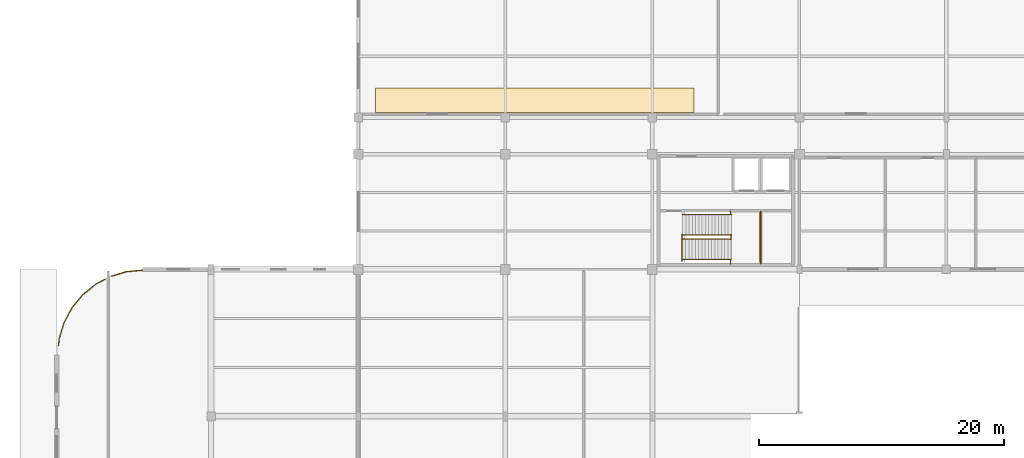
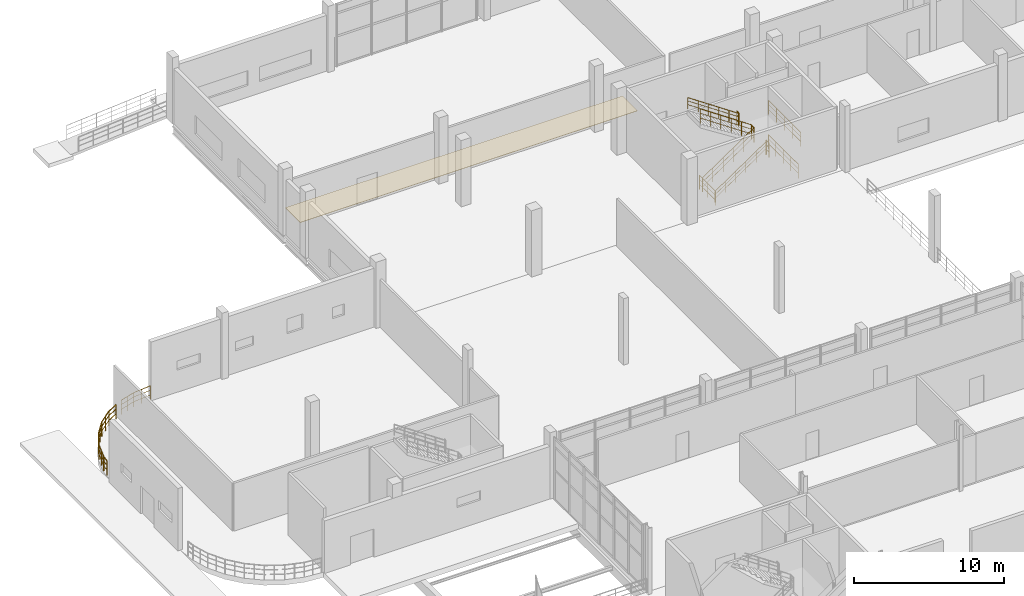
# One storey, part 76 of 85: 18 railings, 1 covering.
"""IFC4 building model written with IfcOpenShell, lengths in metres."""

from ifc_helpers import new_model, si_unit, direction, frame, origin, origin_2d, place, context, subcontext, project, spatial, rectangle, circle, extrude, material, layer, layer_set, type_object, element, save


model = new_model("IFC4")

# Units and contexts
model_context = context("Model", 3, precision=1e-05, world=origin(), true_north=direction((0.0, 1.0)))
body_context = subcontext(model_context, "Body", "Model", "MODEL_VIEW")
ifc_project = project(units=[si_unit("LENGTHUNIT", "METRE"), si_unit("AREAUNIT", "SQUARE_METRE"), si_unit("VOLUMEUNIT", "CUBIC_METRE"), si_unit("PLANEANGLEUNIT", "RADIAN"), si_unit("MASSUNIT", "GRAM", prefix="KILO"), si_unit("THERMODYNAMICTEMPERATUREUNIT", "KELVIN"), si_unit("POWERUNIT", "WATT")], contexts=[model_context])

# Site, building, storey
site_placement = place(None, origin())
site = spatial("IfcSite", under=ifc_project, at=site_placement, CompositionType="ELEMENT")
building_placement = place(site_placement, origin())
building = spatial("IfcBuilding", under=site, at=building_placement, Name="Solmara Park Aquatics Centre", CompositionType="ELEMENT")
storey_placement = place(building_placement, origin())
storey = spatial("IfcBuildingStorey", under=building, at=storey_placement, Name="L00", CompositionType="ELEMENT", Elevation=0.0)

# Covering
ifc_material_1 = material(Name="Anti-Slip Seafoam Ceramic Pool Deck Tile", Category="ceramic")
ifc_layer_1 = layer(ifc_material_1, 0.030029296875, Name="Anti-Slip Seafoam Ceramic Pool Deck Tile")
ifc_layer_set_1 = layer_set([ifc_layer_1], Name="Anti-Slip Seafoam Ceramic Pool Deck Tile")
covering_type = type_object("IfcCoveringType", Name="ARC-COV-TILE", PredefinedType="FLOORING", material=ifc_layer_set_1)
covering_placement = place(storey_placement, frame((39.0, 122.39990234375, 0.0), z_axis=(0.0, 0.0, 1.0), x_axis=(1.0, 0.0, 0.0)))
element("IfcCovering", 1, at=covering_placement, inside=storey, type_object=covering_type, Name="Seafoam Anti-Slip Pool Deck Tile 08", PredefinedType="FLOORING", context=body_context, shape_type="SweptSolid", body=[
    extrude(rectangle(XDim=26.0, YDim=2.0, at=origin_2d()), origin(), (0.0, 0.0, 1.0), 0.030029296875),
])

# Railings
ifc_material_2 = material(Name="Brushed Marine-Grade Stainless Steel 316L Handrail", Category="steel")
ifc_layer_2 = layer(ifc_material_2, 0.044921875, Name="Brushed Marine-Grade Stainless Steel 316L Handrail")
ifc_layer_set_2 = layer_set([ifc_layer_2], Name="Brushed Marine-Grade Stainless Steel 316L Handrail")
railing_type_1 = type_object("IfcRailingType", Name="ARC-RL-HND090", PredefinedType="HANDRAIL", material=ifc_layer_set_2)
railing_1_placement = place(storey_placement, frame((51.050048828125, 109.409912109375, 0.168701171875)))
element("IfcRailing", 2, at=railing_1_placement, inside=storey, type_object=railing_type_1, Name="ST-01 Protected Exit Stair (L00 to L01) Flight 1 Outer Handrail", PredefinedType="HANDRAIL", context=body_context, shape_type="SweptSolid", body=[
    extrude(circle(Radius=0.02392578125, at=origin_2d()), frame((0.0, 0.0, 0.89599609375), z_axis=(0.82718817395, 0.0, 0.56192501713), x_axis=(0.0, 1.0, 0.0)), (0.0, 0.0, 1.0), 4.80517578125),
    extrude(circle(Radius=0.01416015625, at=origin_2d()), frame((0.0, 0.0, 0.322021484375), z_axis=(0.82718817395, 0.0, 0.56192501713), x_axis=(0.0, 1.0, 0.0)), (0.0, 0.0, 1.0), 4.80517578125),
    extrude(circle(Radius=0.01416015625, at=origin_2d()), frame((0.0, 0.0, 0.62548828125), z_axis=(0.82718817395, 0.0, 0.56192501713), x_axis=(0.0, 1.0, 0.0)), (0.0, 0.0, 1.0), 4.80517578125),
    extrude(circle(Radius=0.02099609375, at=origin_2d()), origin(), (0.0, 0.0, 1.0), 0.871826171875),
    extrude(circle(Radius=0.02099609375, at=origin_2d()), frame((0.794921875, 0.0, 0.5400390625)), (0.0, 0.0, 1.0), 0.871826171875),
    extrude(circle(Radius=0.02099609375, at=origin_2d()), frame((1.58984375, 0.0, 1.080078125)), (0.0, 0.0, 1.0), 0.871826171875),
    extrude(circle(Radius=0.02099609375, at=origin_2d()), frame((2.385009765625, 0.0, 1.6201171875)), (0.0, 0.0, 1.0), 0.871826171875),
    extrude(circle(Radius=0.02099609375, at=origin_2d()), frame((3.179931640625, 0.0, 2.16015625)), (0.0, 0.0, 1.0), 0.871826171875),
    extrude(circle(Radius=0.02099609375, at=origin_2d()), frame((3.974853515625, 0.0, 2.7001953125)), (0.0, 0.0, 1.0), 0.871826171875),
])
railing_2_placement = place(storey_placement, frame((55.054931640625, 113.090087890625, 2.868896484375)))
element("IfcRailing", 3, at=railing_2_placement, inside=storey, type_object=railing_type_1, Name="ST-01 Protected Exit Stair (L00 to L01) Flight 2 Outer Handrail", PredefinedType="HANDRAIL", context=body_context, shape_type="SweptSolid", body=[
    extrude(circle(Radius=0.02392578125, at=origin_2d()), frame((0.0, 0.0, 0.89599609375), z_axis=(-0.827211789872, 0.0, 0.56189025147), x_axis=(0.0, -1.0, 0.0)), (0.0, 0.0, 1.0), 4.80517578125),
    extrude(circle(Radius=0.01416015625, at=origin_2d()), frame((0.0, 0.0, 0.322021484375), z_axis=(-0.827211789872, 0.0, 0.56189025147), x_axis=(0.0, -1.0, 0.0)), (0.0, 0.0, 1.0), 4.80517578125),
    extrude(circle(Radius=0.01416015625, at=origin_2d()), frame((0.0, 0.0, 0.62548828125), z_axis=(-0.827211789872, 0.0, 0.56189025147), x_axis=(0.0, -1.0, 0.0)), (0.0, 0.0, 1.0), 4.80517578125),
    extrude(circle(Radius=0.02099609375, at=origin_2d()), origin(), (0.0, 0.0, 1.0), 0.871826171875),
    extrude(circle(Radius=0.02099609375, at=origin_2d()), frame((-0.794921875, 0.0, 0.5400390625)), (0.0, 0.0, 1.0), 0.871826171875),
    extrude(circle(Radius=0.02099609375, at=origin_2d()), frame((-1.58984375, 0.0, 1.080078125)), (0.0, 0.0, 1.0), 0.871826171875),
    extrude(circle(Radius=0.02099609375, at=origin_2d()), frame((-2.385009765625, 0.0, 1.619873046875)), (0.0, 0.0, 1.0), 0.871826171875),
    extrude(circle(Radius=0.02099609375, at=origin_2d()), frame((-3.179931640625, 0.0, 2.159912109375)), (0.0, 0.0, 1.0), 0.871826171875),
    extrude(circle(Radius=0.02099609375, at=origin_2d()), frame((-3.974853515625, 0.0, 2.699951171875)), (0.0, 0.0, 1.0), 0.871826171875),
])
ifc_material_3 = material(Name="Toughened Glass and Stainless Steel Stand Guardrail", Category="steel")
ifc_layer_3 = layer(ifc_material_3, 0.06005859375, Name="Toughened Glass and Stainless Steel Stand Guardrail")
ifc_layer_set_3 = layer_set([ifc_layer_3], Name="Toughened Glass and Stainless Steel Stand Guardrail")
railing_type_2 = type_object("IfcRailingType", Name="ARC-RL-STD110", PredefinedType="GUARDRAIL", material=ifc_layer_set_3)
railing_3_placement = place(storey_placement, frame((0.139892578125, 102.4091796875, 0.0)))
element("IfcRailing", 4, at=railing_3_placement, inside=storey, type_object=railing_type_2, Name="L00 Slab Edge Guardrail 010", PredefinedType="GUARDRAIL", context=body_context, shape_type="SweptSolid", body=[
    extrude(circle(Radius=0.02392578125, at=origin_2d()), frame((0.0, 0.0, 1.15576171875), z_axis=(0.098134511483, 0.995173159634, 0.0), x_axis=(-0.995173159634, 0.098134511483, 0.0)), (0.0, 0.0, 1.0), 0.54736328125),
    extrude(circle(Radius=0.01416015625, at=origin_2d()), frame((0.0, 0.0, 0.4130859375), z_axis=(0.098134511483, 0.995173159634, 0.0), x_axis=(-0.995173159634, 0.098134511483, 0.0)), (0.0, 0.0, 1.0), 0.54736328125),
    extrude(circle(Radius=0.01416015625, at=origin_2d()), frame((0.0, 0.0, 0.80224609375), z_axis=(0.098134511483, 0.995173159634, 0.0), x_axis=(-0.995173159634, 0.098134511483, 0.0)), (0.0, 0.0, 1.0), 0.54736328125),
    extrude(circle(Radius=0.02099609375, at=origin_2d()), origin(), (0.0, 0.0, 1.0), 1.1318359375),
    extrude(circle(Radius=0.02099609375, at=origin_2d()), frame((0.0537109375, 0.544677734375, 0.0)), (0.0, 0.0, 1.0), 1.1318359375),
])
railing_4_placement = place(storey_placement, frame((0.193603515625, 102.953857421875, 0.0)))
element("IfcRailing", 5, at=railing_4_placement, inside=storey, type_object=railing_type_2, Name="L00 Slab Edge Guardrail 011", PredefinedType="GUARDRAIL", context=body_context, shape_type="SweptSolid", body=[
    extrude(circle(Radius=0.02392578125, at=origin_2d()), frame((0.0, 0.0, 1.15576171875), z_axis=(0.290211619235, 0.956962494595, 0.0), x_axis=(-0.956962494595, 0.290211619235, 0.0)), (0.0, 0.0, 1.0), 1.3603515625),
    extrude(circle(Radius=0.01416015625, at=origin_2d()), frame((0.0, 0.0, 0.4130859375), z_axis=(0.290211619235, 0.956962494595, 0.0), x_axis=(-0.956962494595, 0.290211619235, 0.0)), (0.0, 0.0, 1.0), 1.3603515625),
    extrude(circle(Radius=0.01416015625, at=origin_2d()), frame((0.0, 0.0, 0.80224609375), z_axis=(0.290211619235, 0.956962494595, 0.0), x_axis=(-0.956962494595, 0.290211619235, 0.0)), (0.0, 0.0, 1.0), 1.3603515625),
    extrude(circle(Radius=0.02099609375, at=origin_2d()), origin(), (0.0, 0.0, 1.0), 1.1318359375),
    extrude(circle(Radius=0.02099609375, at=origin_2d()), frame((0.197265625, 0.65087890625, 0.0)), (0.0, 0.0, 1.0), 1.1318359375),
    extrude(circle(Radius=0.02099609375, at=origin_2d()), frame((0.394775390625, 1.3017578125, 0.0)), (0.0, 0.0, 1.0), 1.1318359375),
])
railing_5_placement = place(storey_placement, frame((0.58837890625, 104.255615234375, 0.0)))
element("IfcRailing", 6, at=railing_5_placement, inside=storey, type_object=railing_type_2, Name="L00 Slab Edge Guardrail 012", PredefinedType="GUARDRAIL", context=body_context, shape_type="SweptSolid", body=[
    extrude(circle(Radius=0.02392578125, at=origin_2d()), frame((0.0, 0.0, 1.15576171875), z_axis=(0.471379677501, 0.881930382535, 0.0), x_axis=(-0.881930382535, 0.471379677501, 0.0)), (0.0, 0.0, 1.0), 1.360595703125),
    extrude(circle(Radius=0.01416015625, at=origin_2d()), frame((0.0, 0.0, 0.4130859375), z_axis=(0.471379677501, 0.881930382535, 0.0), x_axis=(-0.881930382535, 0.471379677501, 0.0)), (0.0, 0.0, 1.0), 1.360595703125),
    extrude(circle(Radius=0.01416015625, at=origin_2d()), frame((0.0, 0.0, 0.80224609375), z_axis=(0.471379677501, 0.881930382535, 0.0), x_axis=(-0.881930382535, 0.471379677501, 0.0)), (0.0, 0.0, 1.0), 1.360595703125),
    extrude(circle(Radius=0.02099609375, at=origin_2d()), origin(), (0.0, 0.0, 1.0), 1.1318359375),
    extrude(circle(Radius=0.02099609375, at=origin_2d()), frame((0.32080078125, 0.60009765625, 0.0)), (0.0, 0.0, 1.0), 1.1318359375),
    extrude(circle(Radius=0.02099609375, at=origin_2d()), frame((0.641357421875, 1.199951171875, 0.0)), (0.0, 0.0, 1.0), 1.1318359375),
])
railing_6_placement = place(storey_placement, frame((1.229736328125, 105.45556640625, 0.0)))
element("IfcRailing", 7, at=railing_6_placement, inside=storey, type_object=railing_type_2, Name="L00 Slab Edge Guardrail 013", PredefinedType="GUARDRAIL", context=body_context, shape_type="SweptSolid", body=[
    extrude(circle(Radius=0.02392578125, at=origin_2d()), frame((0.0, 0.0, 1.15576171875), z_axis=(0.634536580186, 0.772892831126, 0.0), x_axis=(-0.772892831126, 0.634536580186, 0.0)), (0.0, 0.0, 1.0), 1.360595703125),
    extrude(circle(Radius=0.01416015625, at=origin_2d()), frame((0.0, 0.0, 0.4130859375), z_axis=(0.634536580186, 0.772892831126, 0.0), x_axis=(-0.772892831126, 0.634536580186, 0.0)), (0.0, 0.0, 1.0), 1.360595703125),
    extrude(circle(Radius=0.01416015625, at=origin_2d()), frame((0.0, 0.0, 0.80224609375), z_axis=(0.634536580186, 0.772892831126, 0.0), x_axis=(-0.772892831126, 0.634536580186, 0.0)), (0.0, 0.0, 1.0), 1.360595703125),
    extrude(circle(Radius=0.02099609375, at=origin_2d()), origin(), (0.0, 0.0, 1.0), 1.1318359375),
    extrude(circle(Radius=0.02099609375, at=origin_2d()), frame((0.431640625, 0.52587890625, 0.0)), (0.0, 0.0, 1.0), 1.1318359375),
    extrude(circle(Radius=0.02099609375, at=origin_2d()), frame((0.86328125, 1.051513671875, 0.0)), (0.0, 0.0, 1.0), 1.1318359375),
])
railing_7_placement = place(storey_placement, frame((2.093017578125, 106.507080078125, 0.0)))
element("IfcRailing", 8, at=railing_7_placement, inside=storey, type_object=railing_type_2, Name="L00 Slab Edge Guardrail 014", PredefinedType="GUARDRAIL", context=body_context, shape_type="SweptSolid", body=[
    extrude(circle(Radius=0.02392578125, at=origin_2d()), frame((0.0, 0.0, 1.15576171875), z_axis=(0.772980841347, 0.634429364792, 0.0), x_axis=(-0.634429364792, 0.772980841347, 0.0)), (0.0, 0.0, 1.0), 1.3603515625),
    extrude(circle(Radius=0.01416015625, at=origin_2d()), frame((0.0, 0.0, 0.4130859375), z_axis=(0.772980841347, 0.634429364792, 0.0), x_axis=(-0.634429364792, 0.772980841347, 0.0)), (0.0, 0.0, 1.0), 1.3603515625),
    extrude(circle(Radius=0.01416015625, at=origin_2d()), frame((0.0, 0.0, 0.80224609375), z_axis=(0.772980841347, 0.634429364792, 0.0), x_axis=(-0.634429364792, 0.772980841347, 0.0)), (0.0, 0.0, 1.0), 1.3603515625),
    extrude(circle(Radius=0.02099609375, at=origin_2d()), origin(), (0.0, 0.0, 1.0), 1.1318359375),
    extrude(circle(Radius=0.02099609375, at=origin_2d()), frame((0.52587890625, 0.431640625, 0.0)), (0.0, 0.0, 1.0), 1.1318359375),
    extrude(circle(Radius=0.02099609375, at=origin_2d()), frame((1.051513671875, 0.863037109375, 0.0)), (0.0, 0.0, 1.0), 1.1318359375),
])
railing_8_placement = place(storey_placement, frame((3.14453125, 107.3701171875, 0.0)))
element("IfcRailing", 9, at=railing_8_placement, inside=storey, type_object=railing_type_2, Name="L00 Slab Edge Guardrail 015", PredefinedType="GUARDRAIL", context=body_context, shape_type="SweptSolid", body=[
    extrude(circle(Radius=0.02392578125, at=origin_2d()), frame((0.0, 0.0, 1.15576171875), z_axis=(0.881875936158, 0.4714815301, 0.0), x_axis=(-0.4714815301, 0.881875936158, 0.0)), (0.0, 0.0, 1.0), 0.879150390625),
    extrude(circle(Radius=0.01416015625, at=origin_2d()), frame((0.0, 0.0, 0.4130859375), z_axis=(0.881875936158, 0.4714815301, 0.0), x_axis=(-0.4714815301, 0.881875936158, 0.0)), (0.0, 0.0, 1.0), 0.879150390625),
    extrude(circle(Radius=0.01416015625, at=origin_2d()), frame((0.0, 0.0, 0.80224609375), z_axis=(0.881875936158, 0.4714815301, 0.0), x_axis=(-0.4714815301, 0.881875936158, 0.0)), (0.0, 0.0, 1.0), 0.879150390625),
    extrude(circle(Radius=0.02099609375, at=origin_2d()), origin(), (0.0, 0.0, 1.0), 1.1318359375),
    extrude(circle(Radius=0.02099609375, at=origin_2d()), frame((0.775390625, 0.41455078125, 0.0)), (0.0, 0.0, 1.0), 1.1318359375),
])
railing_9_placement = place(storey_placement, frame((4.47998046875, 108.052734375, 0.0)))
element("IfcRailing", 10, at=railing_9_placement, inside=storey, type_object=railing_type_2, Name="L00 Slab Edge Guardrail 016", PredefinedType="GUARDRAIL", context=body_context, shape_type="SweptSolid", body=[
    extrude(circle(Radius=0.02392578125, at=origin_2d()), frame((0.0, 0.0, 1.15576171875), z_axis=(0.956945182864, 0.290268697921, 0.0), x_axis=(-0.290268697921, 0.956945182864, 0.0)), (0.0, 0.0, 1.0), 1.21875),
    extrude(circle(Radius=0.01416015625, at=origin_2d()), frame((0.0, 0.0, 0.4130859375), z_axis=(0.956945182864, 0.290268697921, 0.0), x_axis=(-0.290268697921, 0.956945182864, 0.0)), (0.0, 0.0, 1.0), 1.21875),
    extrude(circle(Radius=0.01416015625, at=origin_2d()), frame((0.0, 0.0, 0.80224609375), z_axis=(0.956945182864, 0.290268697921, 0.0), x_axis=(-0.290268697921, 0.956945182864, 0.0)), (0.0, 0.0, 1.0), 1.21875),
    extrude(circle(Radius=0.02099609375, at=origin_2d()), origin(), (0.0, 0.0, 1.0), 1.1318359375),
    extrude(circle(Radius=0.02099609375, at=origin_2d()), frame((0.5830078125, 0.1767578125, 0.0)), (0.0, 0.0, 1.0), 1.1318359375),
    extrude(circle(Radius=0.02099609375, at=origin_2d()), frame((1.166259765625, 0.353759765625, 0.0)), (0.0, 0.0, 1.0), 1.1318359375),
])
railing_10_placement = place(storey_placement, frame((5.646240234375, 108.406494140625, 0.0)))
element("IfcRailing", 11, at=railing_10_placement, inside=storey, type_object=railing_type_2, Name="L00 Slab Edge Guardrail 017", PredefinedType="GUARDRAIL", context=body_context, shape_type="SweptSolid", body=[
    extrude(circle(Radius=0.02392578125, at=origin_2d()), frame((0.0, 0.0, 1.15576171875), z_axis=(0.995187086865, 0.097993173928, 0.0), x_axis=(-0.097993173928, 0.995187086865, 0.0)), (0.0, 0.0, 1.0), 1.3603515625),
    extrude(circle(Radius=0.01416015625, at=origin_2d()), frame((0.0, 0.0, 0.4130859375), z_axis=(0.995187086865, 0.097993173928, 0.0), x_axis=(-0.097993173928, 0.995187086865, 0.0)), (0.0, 0.0, 1.0), 1.3603515625),
    extrude(circle(Radius=0.01416015625, at=origin_2d()), frame((0.0, 0.0, 0.80224609375), z_axis=(0.995187086865, 0.097993173928, 0.0), x_axis=(-0.097993173928, 0.995187086865, 0.0)), (0.0, 0.0, 1.0), 1.3603515625),
    extrude(circle(Radius=0.02099609375, at=origin_2d()), origin(), (0.0, 0.0, 1.0), 1.1318359375),
    extrude(circle(Radius=0.02099609375, at=origin_2d()), frame((0.6767578125, 0.066650390625, 0.0)), (0.0, 0.0, 1.0), 1.1318359375),
    extrude(circle(Radius=0.02099609375, at=origin_2d()), frame((1.353759765625, 0.13330078125, 0.0)), (0.0, 0.0, 1.0), 1.1318359375),
])
ifc_material_4 = material(Name="Brushed Stainless Steel Guardrail", Category="steel")
ifc_layer_4 = layer(ifc_material_4, 0.050048828125, Name="Brushed Stainless Steel Guardrail")
ifc_layer_set_4 = layer_set([ifc_layer_4], Name="Brushed Stainless Steel Guardrail")
railing_type_3 = type_object("IfcRailingType", Name="ARC-RL-STR110", PredefinedType="GUARDRAIL", material=ifc_layer_set_4)
railing_11_placement = place(storey_placement, frame((51.030029296875, 109.27001953125, 0.0)))
element("IfcRailing", 12, at=railing_11_placement, inside=storey, type_object=railing_type_3, Name="ST-01 Protected Exit Stair (B1 to L00) Arrival Well Guardrail", PredefinedType="GUARDRAIL", context=body_context, shape_type="SweptSolid", body=[
    extrude(circle(Radius=0.02392578125, at=origin_2d()), frame((0.0, 0.0, 1.15576171875), z_axis=(0.0, 1.0, 0.0), x_axis=(-1.0, 0.0, 0.0)), (0.0, 0.0, 1.0), 2.169921875),
    extrude(circle(Radius=0.01416015625, at=origin_2d()), frame((0.0, 0.0, 0.4130859375), z_axis=(0.0, 1.0, 0.0), x_axis=(-1.0, 0.0, 0.0)), (0.0, 0.0, 1.0), 2.169921875),
    extrude(circle(Radius=0.01416015625, at=origin_2d()), frame((0.0, 0.0, 0.80224609375), z_axis=(0.0, 1.0, 0.0), x_axis=(-1.0, 0.0, 0.0)), (0.0, 0.0, 1.0), 2.169921875),
    extrude(circle(Radius=0.02099609375, at=origin_2d()), origin(), (0.0, 0.0, 1.0), 1.1318359375),
    extrude(circle(Radius=0.02099609375, at=origin_2d()), frame((0.0, 1.0849609375, 0.0)), (0.0, 0.0, 1.0), 1.1318359375),
    extrude(circle(Radius=0.02099609375, at=origin_2d()), frame((0.0, 2.169921875, 0.0)), (0.0, 0.0, 1.0), 1.1318359375),
])
railing_12_placement = place(storey_placement, frame((57.3798828125, 109.27001953125, 0.0)))
element("IfcRailing", 13, at=railing_12_placement, inside=storey, type_object=railing_type_3, Name="ST-01 Protected Exit Stair (B1 to L00) Far Well Edge Guardrail", PredefinedType="GUARDRAIL", context=body_context, shape_type="SweptSolid", body=[
    extrude(circle(Radius=0.02392578125, at=origin_2d()), frame((0.0, 0.0, 1.15576171875), z_axis=(0.0, 1.0, 0.0), x_axis=(-1.0, 0.0, 0.0)), (0.0, 0.0, 1.0), 3.9599609375),
    extrude(circle(Radius=0.01416015625, at=origin_2d()), frame((0.0, 0.0, 0.4130859375), z_axis=(0.0, 1.0, 0.0), x_axis=(-1.0, 0.0, 0.0)), (0.0, 0.0, 1.0), 3.9599609375),
    extrude(circle(Radius=0.01416015625, at=origin_2d()), frame((0.0, 0.0, 0.80224609375), z_axis=(0.0, 1.0, 0.0), x_axis=(-1.0, 0.0, 0.0)), (0.0, 0.0, 1.0), 3.9599609375),
    extrude(circle(Radius=0.02099609375, at=origin_2d()), origin(), (0.0, 0.0, 1.0), 1.1318359375),
    extrude(circle(Radius=0.02099609375, at=origin_2d()), frame((0.0, 0.989990234375, 0.0)), (0.0, 0.0, 1.0), 1.1318359375),
    extrude(circle(Radius=0.02099609375, at=origin_2d()), frame((0.0, 1.97998046875, 0.0)), (0.0, 0.0, 1.0), 1.1318359375),
    extrude(circle(Radius=0.02099609375, at=origin_2d()), frame((0.0, 2.969970703125, 0.0)), (0.0, 0.0, 1.0), 1.1318359375),
    extrude(circle(Radius=0.02099609375, at=origin_2d()), frame((0.0, 3.9599609375, 0.0)), (0.0, 0.0, 1.0), 1.1318359375),
])
railing_13_placement = place(storey_placement, frame((51.050048828125, 111.080078125, 0.0)))
element("IfcRailing", 14, at=railing_13_placement, inside=storey, type_object=railing_type_3, Name="ST-01 Protected Exit Stair (L00 to L01) Flight 1 Inner Guardrail", PredefinedType="GUARDRAIL", context=body_context, shape_type="SweptSolid", body=[
    extrude(circle(Radius=0.02392578125, at=origin_2d()), frame((0.0, 0.0, 1.15576171875), z_axis=(0.827211789872, 0.0, 0.56189025147), x_axis=(0.0, 1.0, 0.0)), (0.0, 0.0, 1.0), 4.80517578125),
    extrude(circle(Radius=0.01416015625, at=origin_2d()), frame((0.0, 0.0, 0.4130859375), z_axis=(0.827211789872, 0.0, 0.56189025147), x_axis=(0.0, 1.0, 0.0)), (0.0, 0.0, 1.0), 4.80517578125),
    extrude(circle(Radius=0.01416015625, at=origin_2d()), frame((0.0, 0.0, 0.80224609375), z_axis=(0.827211789872, 0.0, 0.56189025147), x_axis=(0.0, 1.0, 0.0)), (0.0, 0.0, 1.0), 4.80517578125),
    extrude(circle(Radius=0.02099609375, at=origin_2d()), origin(), (0.0, 0.0, 1.0), 1.1318359375),
    extrude(circle(Radius=0.02099609375, at=origin_2d()), frame((0.794921875, 0.0, 0.5400390625)), (0.0, 0.0, 1.0), 1.1318359375),
    extrude(circle(Radius=0.02099609375, at=origin_2d()), frame((1.58984375, 0.0, 1.080078125)), (0.0, 0.0, 1.0), 1.1318359375),
    extrude(circle(Radius=0.02099609375, at=origin_2d()), frame((2.385009765625, 0.0, 1.619873046875)), (0.0, 0.0, 1.0), 1.1318359375),
    extrude(circle(Radius=0.02099609375, at=origin_2d()), frame((3.179931640625, 0.0, 2.159912109375)), (0.0, 0.0, 1.0), 1.1318359375),
    extrude(circle(Radius=0.02099609375, at=origin_2d()), frame((3.974853515625, 0.0, 2.699951171875)), (0.0, 0.0, 1.0), 1.1318359375),
])
railing_14_placement = place(storey_placement, frame((55.054931640625, 111.419921875, 2.699951171875)))
element("IfcRailing", 15, at=railing_14_placement, inside=storey, type_object=railing_type_3, Name="ST-01 Protected Exit Stair (L00 to L01) Flight 2 Inner Guardrail", PredefinedType="GUARDRAIL", context=body_context, shape_type="SweptSolid", body=[
    extrude(circle(Radius=0.02392578125, at=origin_2d()), frame((0.0, 0.0, 1.15576171875), z_axis=(-0.827211789872, 0.0, 0.56189025147), x_axis=(0.0, -1.0, 0.0)), (0.0, 0.0, 1.0), 4.80517578125),
    extrude(circle(Radius=0.01416015625, at=origin_2d()), frame((0.0, 0.0, 0.4130859375), z_axis=(-0.827211789872, 0.0, 0.56189025147), x_axis=(0.0, -1.0, 0.0)), (0.0, 0.0, 1.0), 4.80517578125),
    extrude(circle(Radius=0.01416015625, at=origin_2d()), frame((0.0, 0.0, 0.80224609375), z_axis=(-0.827211789872, 0.0, 0.56189025147), x_axis=(0.0, -1.0, 0.0)), (0.0, 0.0, 1.0), 4.80517578125),
    extrude(circle(Radius=0.02099609375, at=origin_2d()), origin(), (0.0, 0.0, 1.0), 1.1318359375),
    extrude(circle(Radius=0.02099609375, at=origin_2d()), frame((-0.794921875, 0.0, 0.5400390625)), (0.0, 0.0, 1.0), 1.1318359375),
    extrude(circle(Radius=0.02099609375, at=origin_2d()), frame((-1.58984375, 0.0, 1.080078125)), (0.0, 0.0, 1.0), 1.1318359375),
    extrude(circle(Radius=0.02099609375, at=origin_2d()), frame((-2.385009765625, 0.0, 1.619873046875)), (0.0, 0.0, 1.0), 1.1318359375),
    extrude(circle(Radius=0.02099609375, at=origin_2d()), frame((-3.179931640625, 0.0, 2.159912109375)), (0.0, 0.0, 1.0), 1.1318359375),
    extrude(circle(Radius=0.02099609375, at=origin_2d()), frame((-3.974853515625, 0.0, 2.699951171875)), (0.0, 0.0, 1.0), 1.1318359375),
])
railing_15_placement = place(storey_placement, frame((55.02490234375, 111.06005859375, 2.699951171875)))
element("IfcRailing", 16, at=railing_15_placement, inside=storey, type_object=railing_type_3, Name="ST-01 Protected Exit Stair (L00 to L01) Half-Landing Well Guardrail", PredefinedType="GUARDRAIL", context=body_context, shape_type="SweptSolid", body=[
    extrude(circle(Radius=0.02392578125, at=origin_2d()), frame((0.0, 0.0, 1.15576171875), z_axis=(0.0, 1.0, 0.0), x_axis=(-1.0, 0.0, 0.0)), (0.0, 0.0, 1.0), 0.3798828125),
    extrude(circle(Radius=0.01416015625, at=origin_2d()), frame((0.0, 0.0, 0.4130859375), z_axis=(0.0, 1.0, 0.0), x_axis=(-1.0, 0.0, 0.0)), (0.0, 0.0, 1.0), 0.3798828125),
    extrude(circle(Radius=0.01416015625, at=origin_2d()), frame((0.0, 0.0, 0.80224609375), z_axis=(0.0, 1.0, 0.0), x_axis=(-1.0, 0.0, 0.0)), (0.0, 0.0, 1.0), 0.3798828125),
    extrude(circle(Radius=0.02099609375, at=origin_2d()), origin(), (0.0, 0.0, 1.0), 1.1318359375),
    extrude(circle(Radius=0.02099609375, at=origin_2d()), frame((0.0, 0.3798828125, 0.0)), (0.0, 0.0, 1.0), 1.1318359375),
])
railing_16_placement = place(storey_placement, frame((54.9951171875, 109.0400390625, 2.699951171875)))
element("IfcRailing", 17, at=railing_16_placement, inside=storey, type_object=railing_type_3, Name="ST-01 Protected Exit Stair (L00 to L01) Half-Landing South Slot Guardrail", PredefinedType="GUARDRAIL", context=body_context, shape_type="SweptSolid", body=[
    extrude(circle(Radius=0.02392578125, at=origin_2d()), frame((0.0, 0.0, 1.15576171875), z_axis=(0.0, 1.0, 0.0), x_axis=(-1.0, 0.0, 0.0)), (0.0, 0.0, 1.0), 0.35986328125),
    extrude(circle(Radius=0.01416015625, at=origin_2d()), frame((0.0, 0.0, 0.4130859375), z_axis=(0.0, 1.0, 0.0), x_axis=(-1.0, 0.0, 0.0)), (0.0, 0.0, 1.0), 0.35986328125),
    extrude(circle(Radius=0.01416015625, at=origin_2d()), frame((0.0, 0.0, 0.80224609375), z_axis=(0.0, 1.0, 0.0), x_axis=(-1.0, 0.0, 0.0)), (0.0, 0.0, 1.0), 0.35986328125),
    extrude(circle(Radius=0.02099609375, at=origin_2d()), origin(), (0.0, 0.0, 1.0), 1.1318359375),
    extrude(circle(Radius=0.02099609375, at=origin_2d()), frame((0.0, 0.35986328125, 0.0)), (0.0, 0.0, 1.0), 1.1318359375),
])
railing_17_placement = place(storey_placement, frame((54.9951171875, 113.10009765625, 2.699951171875)))
element("IfcRailing", 18, at=railing_17_placement, inside=storey, type_object=railing_type_3, Name="ST-01 Protected Exit Stair (L00 to L01) Half-Landing North Slot Guardrail", PredefinedType="GUARDRAIL", context=body_context, shape_type="SweptSolid", body=[
    extrude(circle(Radius=0.02392578125, at=origin_2d()), frame((0.0, 0.0, 1.15576171875), z_axis=(0.0, 1.0, 0.0), x_axis=(-1.0, 0.0, 0.0)), (0.0, 0.0, 1.0), 0.260009765625),
    extrude(circle(Radius=0.01416015625, at=origin_2d()), frame((0.0, 0.0, 0.4130859375), z_axis=(0.0, 1.0, 0.0), x_axis=(-1.0, 0.0, 0.0)), (0.0, 0.0, 1.0), 0.260009765625),
    extrude(circle(Radius=0.01416015625, at=origin_2d()), frame((0.0, 0.0, 0.80224609375), z_axis=(0.0, 1.0, 0.0), x_axis=(-1.0, 0.0, 0.0)), (0.0, 0.0, 1.0), 0.260009765625),
    extrude(circle(Radius=0.02099609375, at=origin_2d()), origin(), (0.0, 0.0, 1.0), 1.1318359375),
    extrude(circle(Radius=0.02099609375, at=origin_2d()), frame((0.0, 0.260009765625, 0.0)), (0.0, 0.0, 1.0), 1.1318359375),
])
railing_18_placement = place(storey_placement, frame((57.449951171875, 109.06005859375, 2.699951171875)))
element("IfcRailing", 19, at=railing_18_placement, inside=storey, type_object=railing_type_3, Name="ST-01 Protected Exit Stair (L00 to L01) Half-Landing Outer Guardrail", PredefinedType="GUARDRAIL", context=body_context, shape_type="SweptSolid", body=[
    extrude(circle(Radius=0.02392578125, at=origin_2d()), frame((0.0, 0.0, 1.15576171875), z_axis=(0.0, 1.0, 0.0), x_axis=(-1.0, 0.0, 0.0)), (0.0, 0.0, 1.0), 4.280029296875),
    extrude(circle(Radius=0.01416015625, at=origin_2d()), frame((0.0, 0.0, 0.4130859375), z_axis=(0.0, 1.0, 0.0), x_axis=(-1.0, 0.0, 0.0)), (0.0, 0.0, 1.0), 4.280029296875),
    extrude(circle(Radius=0.01416015625, at=origin_2d()), frame((0.0, 0.0, 0.80224609375), z_axis=(0.0, 1.0, 0.0), x_axis=(-1.0, 0.0, 0.0)), (0.0, 0.0, 1.0), 4.280029296875),
    extrude(circle(Radius=0.02099609375, at=origin_2d()), origin(), (0.0, 0.0, 1.0), 1.1318359375),
    extrude(circle(Radius=0.02099609375, at=origin_2d()), frame((0.0, 1.070068359375, 0.0)), (0.0, 0.0, 1.0), 1.1318359375),
    extrude(circle(Radius=0.02099609375, at=origin_2d()), frame((0.0, 2.14013671875, 0.0)), (0.0, 0.0, 1.0), 1.1318359375),
    extrude(circle(Radius=0.02099609375, at=origin_2d()), frame((0.0, 3.2099609375, 0.0)), (0.0, 0.0, 1.0), 1.1318359375),
    extrude(circle(Radius=0.02099609375, at=origin_2d()), frame((0.0, 4.280029296875, 0.0)), (0.0, 0.0, 1.0), 1.1318359375),
])

save(model, "model.ifc")
